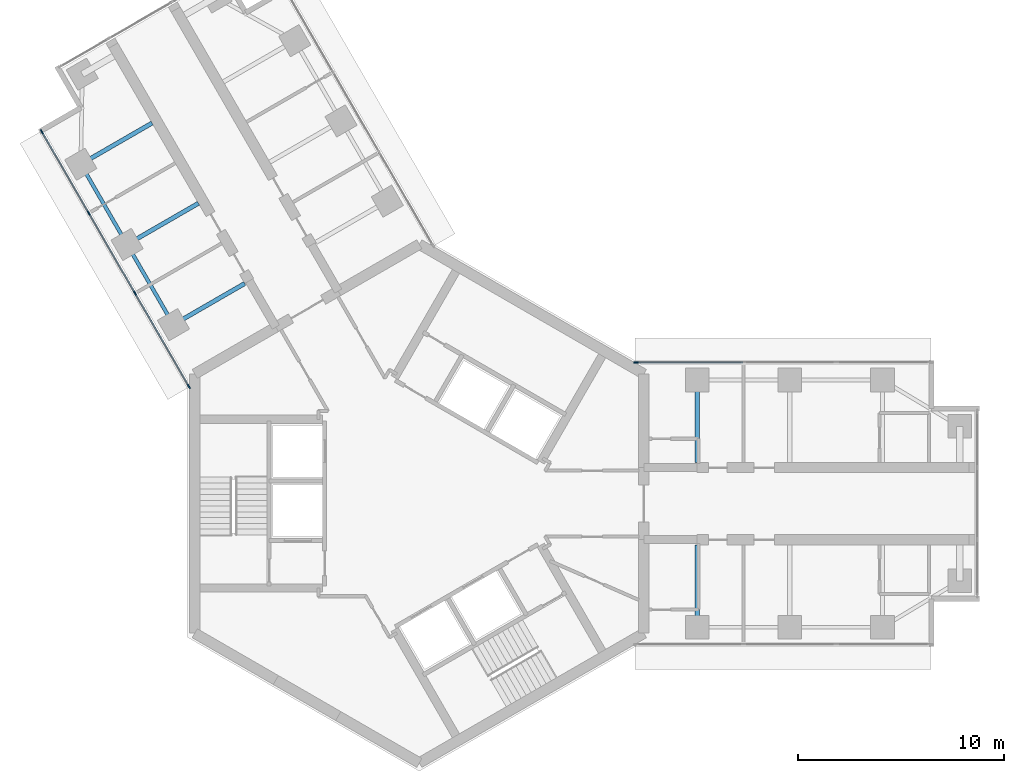
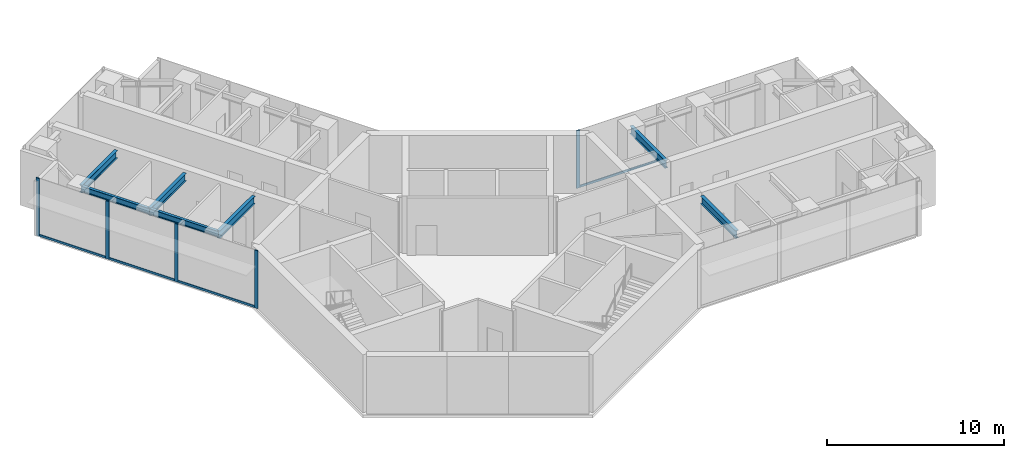
# One storey, part 5 of 17: 9 members, 7 beams, 2 elements without a shape of their own.
"""IFC4 building model written with IfcOpenShell, lengths in metres."""

from ifc_helpers import new_model, si_unit, direction, frame, origin, origin_2d, place, context, subcontext, project, spatial, rectangle, i_section, extrude, material, material_profile, profile_set, type_object, element, aggregate, save


model = new_model("IFC4")

# Units and contexts
model_context = context("Model", 3, precision=1e-05, world=origin(), true_north=direction((0.0, 1.0)))
body_context = subcontext(model_context, "Body", "Model", "MODEL_VIEW")
ifc_project = project(units=[si_unit("LENGTHUNIT", "METRE"), si_unit("AREAUNIT", "SQUARE_METRE"), si_unit("VOLUMEUNIT", "CUBIC_METRE"), si_unit("PLANEANGLEUNIT", "RADIAN"), si_unit("MASSUNIT", "GRAM", prefix="KILO")], contexts=[model_context])

# Site, building, storey
site_placement = place(None, origin())
site = spatial("IfcSite", under=ifc_project, at=site_placement, CompositionType="ELEMENT")
building_placement = place(site_placement, origin())
building = spatial("IfcBuilding", under=site, at=building_placement, Name="Upepo Twin Towers", CompositionType="ELEMENT")
storey_placement = place(building_placement, frame((0.0, 0.0, 198.5)))
storey = spatial("IfcBuildingStorey", under=building, at=storey_placement, Name="L48", CompositionType="ELEMENT", Elevation=198.5)

# Beams
ifc_material_1 = material(Name="Steel S355", Category="steel")
ifc_material_profile_1 = material_profile(ifc_material_1, i_section(OverallWidth=0.177978515625, OverallDepth=0.406494140625, WebThickness=0.0078125, FlangeThickness=0.0126953125, FilletRadius=0.01025390625, at=origin_2d()), Name="UB 406x178x60")
ifc_profile_set_1 = profile_set([ifc_material_profile_1], Name="Steel S355")
beam_type_1 = type_object("IfcBeamType", Name="Beam UB 406x178x60", PredefinedType="BEAM", material=ifc_profile_set_1)
beam_1_placement = place(storey_placement, frame((-11.946044921875, 8.69140625, 3.5966796875), z_axis=(-0.500013631625, 0.866017533419, 0.0), x_axis=(-0.866017533419, -0.500013631625, 0.0)))
element("IfcBeam", 1, at=beam_1_placement, inside=storey, type_object=beam_type_1, Name="T1 edge beam BL 13.5-18.0", PredefinedType="BEAM", context=body_context, shape_type="SweptSolid", body=[
    extrude(i_section(OverallWidth=0.177978515625, OverallDepth=0.406494140625, WebThickness=0.0078125, FlangeThickness=0.0126953125, FilletRadius=0.01025390625, at=origin_2d()), origin(), (0.0, 0.0, 1.0), 4.499755859375),
])
beam_2_placement = place(storey_placement, frame((-14.196044921875, 12.58837890625, 3.5966796875), z_axis=(-0.499990139034, 0.866031096941, 0.0), x_axis=(-0.866031096941, -0.499990139034, 0.0)))
element("IfcBeam", 2, at=beam_2_placement, inside=storey, type_object=beam_type_1, Name="T1 edge beam BL 18.0-22.5", PredefinedType="BEAM", context=body_context, shape_type="SweptSolid", body=[
    extrude(i_section(OverallWidth=0.177978515625, OverallDepth=0.406494140625, WebThickness=0.0078125, FlangeThickness=0.0126953125, FilletRadius=0.01025390625, at=origin_2d()), origin(), (0.0, 0.0, 1.0), 4.5),
])
ifc_material_2 = material(Name="Steel S355", Category="steel")
ifc_material_profile_2 = material_profile(ifc_material_2, i_section(OverallWidth=0.209228515625, OverallDepth=0.533203125, WebThickness=0.010009765625, FlangeThickness=0.015625, FilletRadius=0.0126953125, at=origin_2d()), Name="UB 533x210x92")
ifc_profile_set_2 = profile_set([ifc_material_profile_2], Name="Steel S355")
beam_type_2 = type_object("IfcBeamType", Name="Beam UB 533x210x92", PredefinedType="BEAM", material=ifc_profile_set_2)
for number, where, z_axis, x_axis, name in (
    (3, (13.5, 6.0, 3.533447265625), (0.0, -1.0, 0.0), (1.0, 0.0, 0.0), "T1 girder AL at 13.5"),
    (4, (13.5, -6.0, 3.533447265625), (0.0, 1.0, 0.0), (-1.0, 0.0, 0.0), "T1 girder AR at 13.5"),
    (5, (-11.946044921875, 8.69140625, 3.533447265625), (0.866026010844, 0.49999894854, 0.0), (-0.49999894854, 0.866026010844, 0.0), "T1 girder BL at 13.5"),
    (6, (-14.196044921875, 12.58837890625, 3.533447265625), (0.866026010844, 0.49999894854, 0.0), (-0.49999894854, 0.866026010844, 0.0), "T1 girder BL at 18.0"),
    (7, (-16.446044921875, 16.485595703125, 3.533447265625), (0.866026010844, 0.49999894854, 0.0), (-0.49999894854, 0.866026010844, 0.0), "T1 girder BL at 22.5"),
):
    element("IfcBeam", number, at=place(storey_placement, frame(where, z_axis=z_axis, x_axis=x_axis)), inside=storey, type_object=beam_type_2, Name=name, PredefinedType="BEAM", context=body_context, shape_type="SweptSolid", body=[
        extrude(i_section(OverallWidth=0.209228515625, OverallDepth=0.533203125, WebThickness=0.010009765625, FlangeThickness=0.015625, FilletRadius=0.0126953125, at=origin_2d()), origin(), (0.0, 0.0, 1.0), 4.0),
    ])

# Curtain wall, member
ifc_material_3 = material(Name="Aluminium and fritted glass", Category="aluminium")
curtain_wall_type = type_object("IfcCurtainWallType", Name="Tower curtain wall TW3, fritted glass", PredefinedType="NOTDEFINED", material=ifc_material_3)
curtain_wall_1_placement = place(storey_placement, origin())
curtain_wall_1 = element("IfcCurtainWall", 8, at=curtain_wall_1_placement, inside=storey, type_object=curtain_wall_type, Name="T1 L48 wing A flank L curtain wall", PredefinedType="NOTDEFINED")
ifc_material_4 = material(Name="Aluminium mullion", Category="aluminium")
ifc_material_profile_3 = material_profile(ifc_material_4, rectangle(XDim=0.06494140625, YDim=0.22509765625, at=origin_2d()), Name="MULLION 65x225")
ifc_profile_set_3 = profile_set([ifc_material_profile_3], Name="Aluminium mullion")
member_type_1 = type_object("IfcMemberType", Name="Mullion 65x225 TW3", PredefinedType="MULLION", material=ifc_profile_set_3)
member_1_placement = place(storey_placement, frame((10.51953125, 6.85009765625, 0.0), z_axis=(0.0, 0.0, 1.0), x_axis=(0.0, 1.0, 0.0)))
member_1 = element("IfcMember", 9, at=member_1_placement, type_object=member_type_1, Name="T1 L48 wing A flank L curtain wall mullion 1", PredefinedType="MULLION", context=body_context, shape_type="SweptSolid", body=[
    extrude(rectangle(XDim=0.06494140625, YDim=0.22509765625, at=origin_2d()), origin(), (0.0, 0.0, 1.0), 4.0),
])

# Curtain wall, members
curtain_wall_2_placement = place(storey_placement, origin())
curtain_wall_2 = element("IfcCurtainWall", 10, at=curtain_wall_2_placement, inside=storey, type_object=curtain_wall_type, Name="T1 L48 wing B flank L curtain wall", PredefinedType="NOTDEFINED")
member_2_placement = place(storey_placement, frame((-11.192138671875, 5.685302734375, 0.0), z_axis=(0.0, 0.0, 1.0), x_axis=(-0.866025388469, -0.500000026527, 0.0)))
member_2 = element("IfcMember", 11, at=member_2_placement, type_object=member_type_1, Name="T1 L48 wing B flank L curtain wall mullion 1", PredefinedType="MULLION", context=body_context, shape_type="SweptSolid", body=[
    extrude(rectangle(XDim=0.06494140625, YDim=0.22509765625, at=origin_2d()), origin(), (0.0, 0.0, 1.0), 4.0),
])
member_3_placement = place(storey_placement, frame((-13.807373046875, 10.21484375, 0.0), z_axis=(0.0, 0.0, 1.0), x_axis=(-0.866025388469, -0.500000026527, 0.0)))
member_3 = element("IfcMember", 12, at=member_3_placement, type_object=member_type_1, Name="T1 L48 wing B flank L curtain wall mullion 2", PredefinedType="MULLION", context=body_context, shape_type="SweptSolid", body=[
    extrude(rectangle(XDim=0.06494140625, YDim=0.22509765625, at=origin_2d()), origin(), (0.0, 0.0, 1.0), 4.0),
])
member_4_placement = place(storey_placement, frame((-16.057373046875, 14.112060546875, 0.0), z_axis=(0.0, 0.0, 1.0), x_axis=(-0.866025388469, -0.500000026527, 0.0)))
member_4 = element("IfcMember", 13, at=member_4_placement, type_object=member_type_1, Name="T1 L48 wing B flank L curtain wall mullion 3", PredefinedType="MULLION", context=body_context, shape_type="SweptSolid", body=[
    extrude(rectangle(XDim=0.06494140625, YDim=0.22509765625, at=origin_2d()), origin(), (0.0, 0.0, 1.0), 4.0),
])
member_5_placement = place(storey_placement, frame((-18.341064453125, 18.067626953125, 0.0), z_axis=(0.0, 0.0, 1.0), x_axis=(-0.866025388469, -0.500000026527, 0.0)))
member_5 = element("IfcMember", 14, at=member_5_placement, type_object=member_type_1, Name="T1 L48 wing B flank L curtain wall mullion 4", PredefinedType="MULLION", context=body_context, shape_type="SweptSolid", body=[
    extrude(rectangle(XDim=0.06494140625, YDim=0.22509765625, at=origin_2d()), origin(), (0.0, 0.0, 1.0), 4.0),
])

# Member
ifc_material_5 = material(Name="Aluminium transom", Category="aluminium")
ifc_material_profile_4 = material_profile(ifc_material_5, rectangle(XDim=0.06494140625, YDim=0.14990234375, at=origin_2d()), Name="TRANSOM 65x150")
ifc_profile_set_4 = profile_set([ifc_material_profile_4], Name="Aluminium transom")
member_type_2 = type_object("IfcMemberType", Name="Transom 65x150 TW3", PredefinedType="USERDEFINED", material=ifc_profile_set_4)
member_6_placement = place(storey_placement, frame((10.552001953125, 6.85009765625, 0.074951171875), z_axis=(1.0, 0.0, 0.0), x_axis=(0.0, 1.0, 0.0)))
member_6 = element("IfcMember", 15, at=member_6_placement, type_object=member_type_2, Name="T1 L48 wing A flank L curtain wall transom 1", ObjectType="TRANSOM", PredefinedType="USERDEFINED", context=body_context, shape_type="SweptSolid", body=[
    extrude(rectangle(XDim=0.06494140625, YDim=0.14990234375, at=origin_2d()), origin(), (0.0, 0.0, 1.0), 5.16552734375),
])

aggregate(curtain_wall_1, [member_1, member_6])

member_7_placement = place(storey_placement, frame((-11.208251953125, 5.71337890625, 0.074951171875), z_axis=(-0.500007480159, 0.86602108507, 0.0), x_axis=(-0.86602108507, -0.500007480159, 0.0)))
member_7 = element("IfcMember", 16, at=member_7_placement, type_object=member_type_2, Name="T1 L48 wing B flank L curtain wall transom 1", ObjectType="TRANSOM", PredefinedType="USERDEFINED", context=body_context, shape_type="SweptSolid", body=[
    extrude(rectangle(XDim=0.06494140625, YDim=0.14990234375, at=origin_2d()), origin(), (0.0, 0.0, 1.0), 5.16552734375),
])

member_8_placement = place(storey_placement, frame((-13.823486328125, 10.2431640625, 0.074951171875), z_axis=(-0.500005184116, 0.866022410713, 0.0), x_axis=(-0.866022410713, -0.500005184116, 0.0)))
member_8 = element("IfcMember", 17, at=member_8_placement, type_object=member_type_2, Name="T1 L48 wing B flank L curtain wall transom 2", ObjectType="TRANSOM", PredefinedType="USERDEFINED", context=body_context, shape_type="SweptSolid", body=[
    extrude(rectangle(XDim=0.06494140625, YDim=0.14990234375, at=origin_2d()), origin(), (0.0, 0.0, 1.0), 4.43505859375),
])

member_9_placement = place(storey_placement, frame((-16.073486328125, 14.14013671875, 0.074951171875), z_axis=(-0.499982167615, 0.866035699072, 0.0), x_axis=(-0.866035699072, -0.499982167615, 0.0)))
member_9 = element("IfcMember", 18, at=member_9_placement, type_object=member_type_2, Name="T1 L48 wing B flank L curtain wall transom 3", ObjectType="TRANSOM", PredefinedType="USERDEFINED", context=body_context, shape_type="SweptSolid", body=[
    extrude(rectangle(XDim=0.06494140625, YDim=0.14990234375, at=origin_2d()), origin(), (0.0, 0.0, 1.0), 4.502685546875),
])

aggregate(curtain_wall_2, [member_2, member_3, member_4, member_5, member_7, member_8, member_9])

save(model, "model.ifc")
